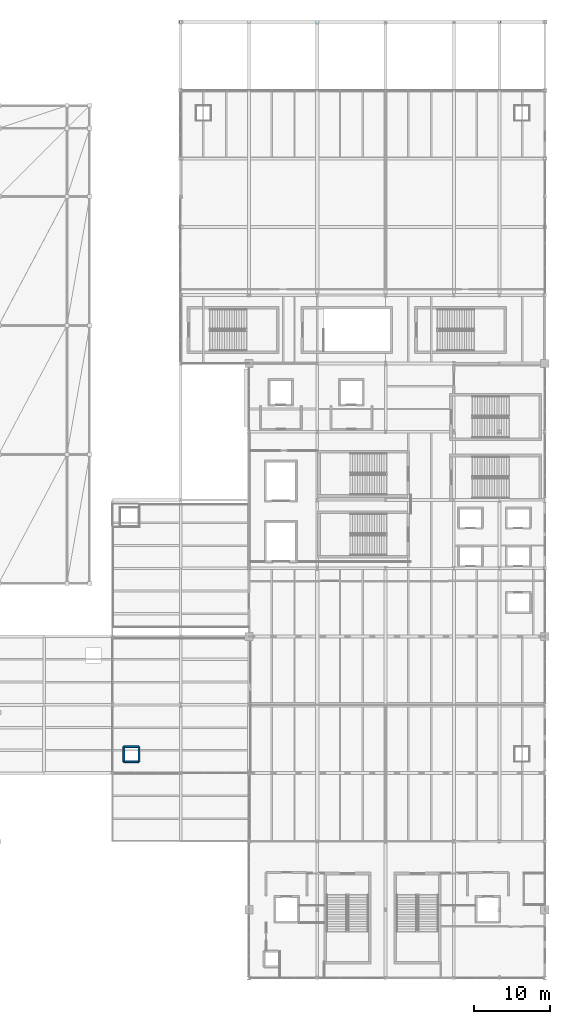
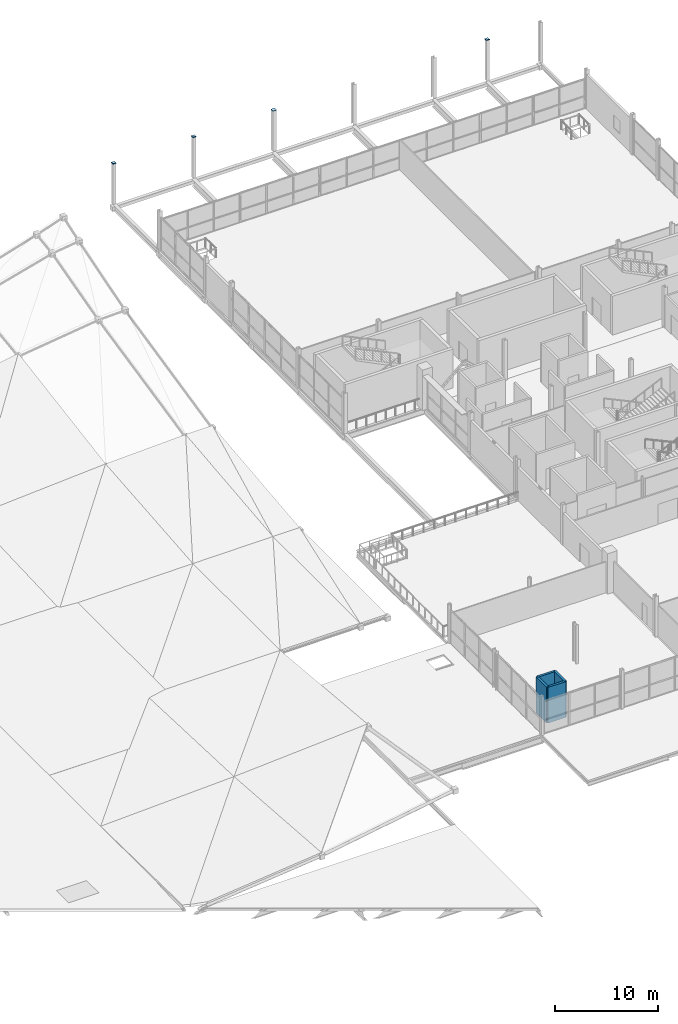
# One storey, part 49 of 69: 4 plates, 4 walls.
"""IFC4 building model written with IfcOpenShell, lengths in metres."""

from ifc_helpers import new_model, si_unit, direction, frame, frame_2d, origin, origin_2d, place, context, subcontext, project, spatial, rectangle, extrude, material, layer, layer_set, type_object, element, save


model = new_model("IFC4")

# Units and contexts
model_context = context("Model", 3, precision=1e-05, world=origin(), true_north=direction((0.0, 1.0)))
body_context = subcontext(model_context, "Body", "Model", "MODEL_VIEW")
ifc_project = project(units=[si_unit("LENGTHUNIT", "METRE"), si_unit("AREAUNIT", "SQUARE_METRE"), si_unit("VOLUMEUNIT", "CUBIC_METRE"), si_unit("PLANEANGLEUNIT", "RADIAN"), si_unit("MASSUNIT", "GRAM", prefix="KILO")], contexts=[model_context])

# Site, building, storey
site_placement = place(None, origin())
site = spatial("IfcSite", under=ifc_project, at=site_placement, CompositionType="ELEMENT")
building_placement = place(site_placement, origin())
building = spatial("IfcBuilding", under=site, at=building_placement, Name="Qamarlyn Nura Convention Centre", CompositionType="ELEMENT")
storey_placement = place(building_placement, frame((0.0, 0.0, 15.60009765625)))
storey = spatial("IfcBuildingStorey", under=building, at=storey_placement, Name="L03", CompositionType="ELEMENT", Elevation=15.60009765625)

# Plates
ifc_material_1 = material(Name="Structural steel ASTM A572 Grade 50", Category="steel")
ifc_layer_1 = layer(ifc_material_1, 0.02490234375, Name="GP-CAP-25")
ifc_layer_set_1 = layer_set([ifc_layer_1], Name="Structural steel ASTM A572 Grade 50")
plate_type = type_object("IfcPlateType", Name="GP-CAP-25", PredefinedType="USERDEFINED", material=ifc_layer_set_1)
for number, where, z_axis, x_axis, name in (
    (1, (144.0, 126.0, 4.800048828125), (0.0, 0.0, 1.0), (1.0, 0.0, 0.0), "L03 column welded end-cap plate 12/Q"),
    (2, (153.0, 126.0, 4.800048828125), (0.0, 0.0, 1.0), (1.0, 0.0, 0.0), "L03 column welded end-cap plate 13/Q"),
):
    element("IfcPlate", number, at=place(storey_placement, frame(where, z_axis=z_axis, x_axis=x_axis)), inside=storey, type_object=plate_type, Name=name, ObjectType="END CAP PLATE", PredefinedType="USERDEFINED", context=body_context, shape_type="SweptSolid", body=[
        extrude(rectangle(XDim=0.3701171875, YDim=0.3701171875, at=origin_2d()), origin(), (0.0, 0.0, 1.0), 0.02490234375),
    ])
plate_1_placement = place(storey_placement, frame((162.0, 126.0, 4.800048828125), z_axis=(0.0, 0.0, 1.0), x_axis=(1.0, 0.0, 0.0)))
element("IfcPlate", 3, at=plate_1_placement, inside=storey, type_object=plate_type, Name="L03 column welded end-cap plate 14/Q", ObjectType="END CAP PLATE", PredefinedType="USERDEFINED", context=body_context, shape_type="SweptSolid", body=[
    extrude(rectangle(XDim=0.419921875, YDim=0.419921875, at=origin_2d()), origin(), (0.0, 0.0, 1.0), 0.02490234375),
])
plate_2_placement = place(storey_placement, frame((186.0, 126.0, 4.800048828125), z_axis=(0.0, 0.0, 1.0), x_axis=(1.0, 0.0, 0.0)))
element("IfcPlate", 4, at=plate_2_placement, inside=storey, type_object=plate_type, Name="L03 column welded end-cap plate 17/Q", ObjectType="END CAP PLATE", PredefinedType="USERDEFINED", context=body_context, shape_type="SweptSolid", body=[
    extrude(rectangle(XDim=0.3701171875, YDim=0.3701171875, at=origin_2d()), origin(), (0.0, 0.0, 1.0), 0.02490234375),
])

# Walls
ifc_material_2 = material(Name="Fire-rated acoustic gypsum board and mineral wool EI 120")
ifc_layer_2 = layer(ifc_material_2, 0.25, Name="WT-SHAFT-250")
ifc_layer_set_2 = layer_set([ifc_layer_2], Name="Fire-rated acoustic gypsum board and mineral wool EI 120")
wall_type = type_object("IfcWallType", Name="WT-SHAFT-250", PredefinedType="SOLIDWALL", material=ifc_layer_set_2)
for number, where, z_axis, x_axis, name in (
    (5, (136.5, 28.5, 0.0), (0.0, 0.0, 1.0), (1.0, 0.0, 0.0), "L03 MEP riser shaft wall 32-S"),
    (6, (138.5, 30.5, 0.0), (0.0, 0.0, 1.0), (-1.0, 0.0, 0.0), "L03 MEP riser shaft wall 32-N"),
    (7, (136.5, 30.5, 0.0), (0.0, 0.0, 1.0), (0.0, -1.0, 0.0), "L03 MEP riser shaft wall 32-W"),
    (8, (138.5, 28.5, 0.0), (0.0, 0.0, 1.0), (0.0, 1.0, 0.0), "L03 MEP riser shaft wall 32-E"),
):
    element("IfcWall", number, at=place(storey_placement, frame(where, z_axis=z_axis, x_axis=x_axis)), inside=storey, type_object=wall_type, Name=name, PredefinedType="SOLIDWALL", context=body_context, shape_type="SweptSolid", body=[
        extrude(rectangle(XDim=2.0, YDim=0.25, at=frame_2d((1.0, 0.0))), origin(), (0.0, 0.0, 1.0), 4.25),
    ])

save(model, "model.ifc")
